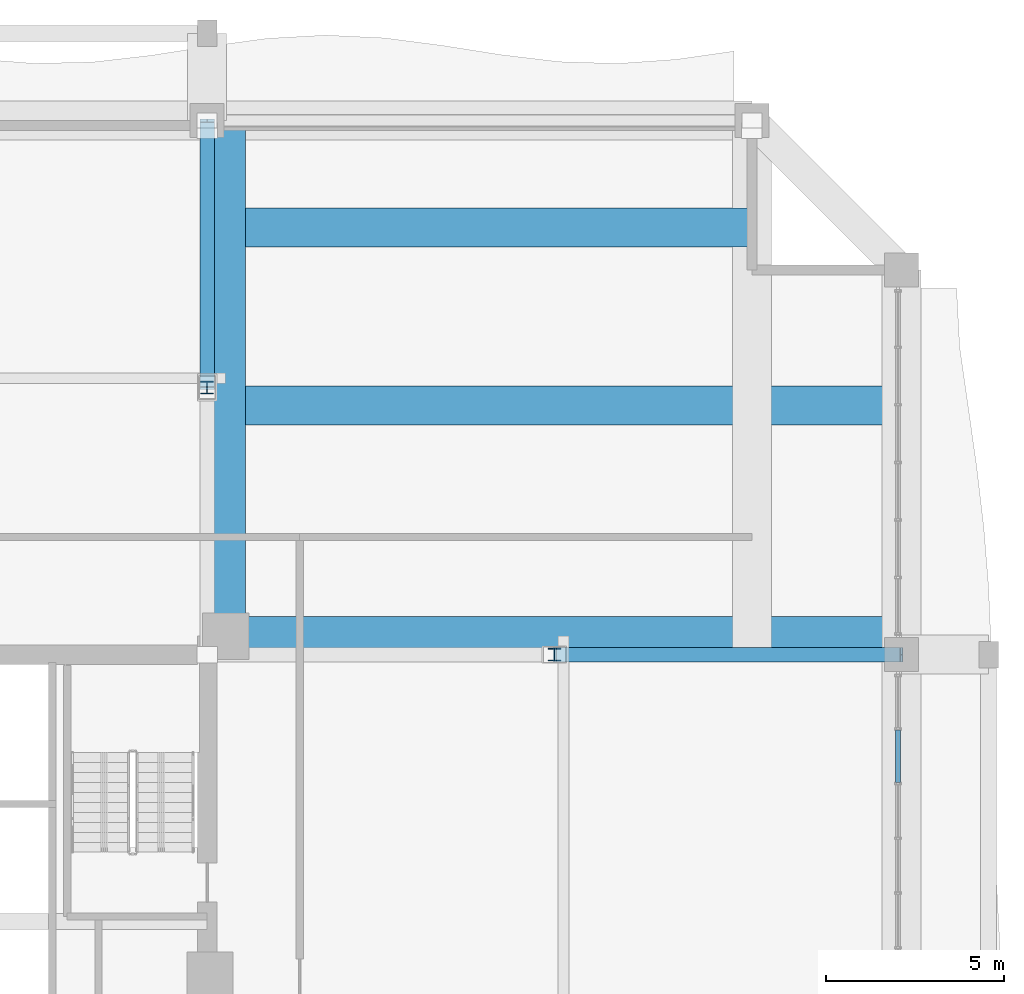
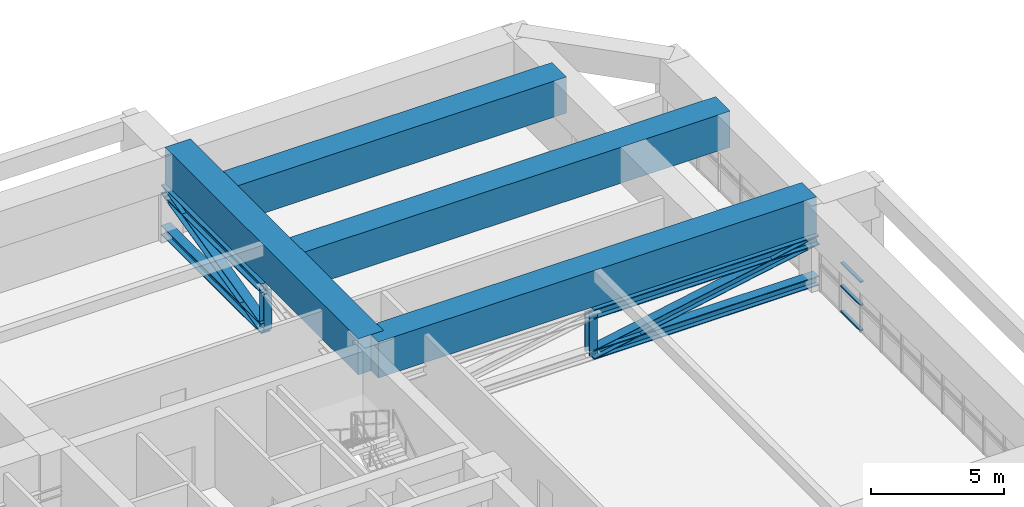
# One storey, part 23 of 35: 11 members, 4 beams, 1 element without a shape of its own.
"""IFC4 building model written with IfcOpenShell, lengths in metres."""

from ifc_helpers import new_model, si_unit, direction, frame, origin, origin_2d, place, context, subcontext, project, spatial, rectangle, hollow_rectangle, i_section, extrude, source, transform, mapped, material, layer, layer_set, material_profile, profile_set, type_object, element, aggregate, save


model = new_model("IFC4")

# Units and contexts
model_context = context("Model", 3, precision=1e-05, world=origin(), true_north=direction((0.0, 1.0)))
body_context = subcontext(model_context, "Body", "Model", "MODEL_VIEW")
ifc_project = project(units=[si_unit("LENGTHUNIT", "METRE"), si_unit("AREAUNIT", "SQUARE_METRE"), si_unit("VOLUMEUNIT", "CUBIC_METRE"), si_unit("PLANEANGLEUNIT", "RADIAN"), si_unit("MASSUNIT", "GRAM", prefix="KILO")], contexts=[model_context])

# Site, building, storey
site_placement = place(None, origin())
site = spatial("IfcSite", under=ifc_project, at=site_placement, CompositionType="ELEMENT")
building_placement = place(site_placement, origin())
building = spatial("IfcBuilding", under=site, at=building_placement, Name="Saelheon Loggia Tower", CompositionType="ELEMENT")
storey_placement = place(building_placement, frame((0.0, 0.0, 144.75)))
storey = spatial("IfcBuildingStorey", under=building, at=storey_placement, Name="L46", CompositionType="ELEMENT", Elevation=144.75)

# Beams
ifc_material_1 = material(Name="Concrete C50/60", Category="concrete")
ifc_material_profile_1 = material_profile(ifc_material_1, rectangle(XDim=1.10009765625, YDim=1.64990234375, at=origin_2d()), Name="RC-1100x1650")
ifc_profile_set_1 = profile_set([ifc_material_profile_1], Name="Concrete C50/60")
beam_type = type_object("IfcBeamType", Name="Beam_MegaTransfer_RC1100x1650", PredefinedType="BEAM", material=ifc_profile_set_1)
shared_shape_1 = source(origin(), body_context, "Body", "SweptSolid", [
    extrude(rectangle(XDim=1.10009765625, YDim=1.64990234375, at=origin_2d()), origin(), (0.0, 0.0, 1.0), 14.47998046875),
])
beam_1_placement = place(storey_placement, frame((45.02001953125, 36.52001953125, 3.125), z_axis=(0.0, 1.0, 0.0), x_axis=(-1.0, 0.0, 0.0)))
element("IfcBeam", 1, at=beam_1_placement, inside=storey, type_object=beam_type, Name="L46 Radial Floor Girder RAD-NE-N", PredefinedType="BEAM", context=body_context, shape_type="MappedRepresentation", body=[
    mapped(shared_shape_1, transform((0.0, 0.0, 0.0), scale=1.0)),
])
shared_shape_2 = source(origin(), body_context, "Body", "SweptSolid", [
    extrude(rectangle(XDim=1.10009765625, YDim=1.64990234375, at=origin_2d()), origin(), (0.0, 0.0, 1.0), 18.97998046875),
])
beam_2_placement = place(storey_placement, frame((45.02001953125, 36.52001953125, 3.125), z_axis=(1.0, 0.0, 0.0), x_axis=(0.0, 1.0, 0.0)))
element("IfcBeam", 2, at=beam_2_placement, inside=storey, type_object=beam_type, Name="L46 Radial Floor Girder RAD-NE-E", PredefinedType="BEAM", context=body_context, shape_type="MappedRepresentation", body=[
    mapped(shared_shape_2, transform((0.0, 0.0, 0.0), scale=1.0)),
])
shared_shape_3 = source(origin(), body_context, "Body", "SweptSolid", [
    extrude(rectangle(XDim=1.10009765625, YDim=1.64990234375, at=origin_2d()), origin(), (0.0, 0.0, 1.0), 19.5),
])
beam_3_placement = place(storey_placement, frame((44.5, 43.0, 3.125), z_axis=(1.0, 0.0, 0.0), x_axis=(0.0, 1.0, 0.0)))
element("IfcBeam", 3, at=beam_3_placement, inside=storey, type_object=beam_type, Name="TG-L46-SH-NE", PredefinedType="BEAM", context=body_context, shape_type="MappedRepresentation", body=[
    mapped(shared_shape_3, transform((0.0, 0.0, 0.0), scale=1.0)),
])

# Members
ifc_material_2 = material(Name="Steel SM355", Category="steel")
ifc_material_profile_2 = material_profile(ifc_material_2, i_section(OverallWidth=0.406982421875, OverallDepth=0.427978515625, WebThickness=0.02001953125, FlangeThickness=0.034912109375, at=origin_2d()), Name="H-428x407x20x35")
ifc_profile_set_2 = profile_set([ifc_material_profile_2], Name="Steel SM355")
member_type_1 = type_object("IfcMemberType", Name="Outrigger_Chord_H428", PredefinedType="CHORD", material=ifc_profile_set_2)
shared_shape_4 = source(origin(), body_context, "Body", "SweptSolid", [
    extrude(i_section(OverallWidth=0.406982421875, OverallDepth=0.427978515625, WebThickness=0.02001953125, FlangeThickness=0.034912109375, at=origin_2d()), origin(), (0.0, 0.0, 1.0), 7.5),
])
for number, where, z_axis, x_axis, name in (
    (4, (44.5, 43.5, 0.219970703125), (0.0, 1.0, 0.0), (-1.0, 0.0, 0.0), "L46 Outrigger Bottom Chord NE-N 2"),
    (5, (44.5, 43.5, 2.070068359375), (0.0, 1.0, 0.0), (-1.0, 0.0, 0.0), "L46 Outrigger Top Chord NE-N 2"),
):
    element("IfcMember", number, at=place(storey_placement, frame(where, z_axis=z_axis, x_axis=x_axis)), inside=storey, type_object=member_type_1, Name=name, PredefinedType="CHORD", context=body_context, shape_type="MappedRepresentation", body=[
        mapped(shared_shape_4, transform((0.0, 0.0, 0.0), scale=1.0)),
    ])
ifc_material_profile_3 = material_profile(ifc_material_2, i_section(OverallWidth=0.39990234375, OverallDepth=0.39990234375, WebThickness=0.012939453125, FlangeThickness=0.02099609375, at=origin_2d()), Name="H-400x400x13x21")
ifc_profile_set_3 = profile_set([ifc_material_profile_3], Name="Steel SM355")
member_type_2 = type_object("IfcMemberType", Name="Outrigger_Brace_H400", PredefinedType="BRACE", material=ifc_profile_set_3)
shared_shape_5 = source(origin(), body_context, "Body", "SweptSolid", [
    extrude(i_section(OverallWidth=0.39990234375, OverallDepth=0.39990234375, WebThickness=0.012939453125, FlangeThickness=0.02099609375, at=origin_2d()), origin(), (0.0, 0.0, 1.0), 7.724853515625),
])
member_1_placement = place(storey_placement, frame((44.5, 43.5, 0.219970703125), z_axis=(0.0, 0.970896268456, 0.239500388098), x_axis=(-1.0, 0.0, 0.0)))
element("IfcMember", 6, at=member_1_placement, inside=storey, type_object=member_type_2, Name="L46 Outrigger Diagonal NE-N 2", PredefinedType="BRACE", context=body_context, shape_type="MappedRepresentation", body=[
    mapped(shared_shape_5, transform((0.0, 0.0, 0.0), scale=1.0)),
])
shared_shape_6 = source(origin(), body_context, "Body", "SweptSolid", [
    extrude(i_section(OverallWidth=0.406982421875, OverallDepth=0.427978515625, WebThickness=0.02001953125, FlangeThickness=0.034912109375, at=origin_2d()), origin(), (0.0, 0.0, 1.0), 9.75),
])
for number, where, z_axis, x_axis, name in (
    (7, (54.25, 36.0, 0.219970703125), (1.0, 0.0, 0.0), (0.0, 1.0, 0.0), "L46 Outrigger Bottom Chord NE-E 2"),
    (8, (54.25, 36.0, 2.070068359375), (1.0, 0.0, 0.0), (0.0, 1.0, 0.0), "L46 Outrigger Top Chord NE-E 2"),
):
    element("IfcMember", number, at=place(storey_placement, frame(where, z_axis=z_axis, x_axis=x_axis)), inside=storey, type_object=member_type_1, Name=name, PredefinedType="CHORD", context=body_context, shape_type="MappedRepresentation", body=[
        mapped(shared_shape_6, transform((0.0, 0.0, 0.0), scale=1.0)),
    ])

# Beam
shared_shape_7 = source(origin(), body_context, "Body", "SweptSolid", [
    extrude(rectangle(XDim=1.10009765625, YDim=1.64990234375, at=origin_2d()), origin(), (0.0, 0.0, 1.0), 15.300048828125),
])
beam_4_placement = place(storey_placement, frame((44.5, 48.0, 3.125), z_axis=(1.0, 0.0, 0.0), x_axis=(0.0, 1.0, 0.0)))
element("IfcBeam", 9, at=beam_4_placement, inside=storey, type_object=beam_type, Name="TG-L46-NYN-E", PredefinedType="BEAM", context=body_context, shape_type="MappedRepresentation", body=[
    mapped(shared_shape_7, transform((0.0, 0.0, 0.0), scale=1.0)),
])

# Members
ifc_material_profile_4 = material_profile(ifc_material_2, i_section(OverallWidth=0.35009765625, OverallDepth=0.35009765625, WebThickness=0.011962890625, FlangeThickness=0.01904296875, at=origin_2d()), Name="H-350x350x12x19")
ifc_profile_set_4 = profile_set([ifc_material_profile_4], Name="Steel SM355")
member_type_3 = type_object("IfcMemberType", Name="Outrigger_Post_H350", PredefinedType="POST", material=ifc_profile_set_4)
shared_shape_8 = source(origin(), body_context, "Body", "SweptSolid", [
    extrude(i_section(OverallWidth=0.35009765625, OverallDepth=0.35009765625, WebThickness=0.011962890625, FlangeThickness=0.01904296875, at=origin_2d()), origin(), (0.0, 0.0, 1.0), 1.85009765625),
])
for number, where, z_axis, x_axis, name in (
    (10, (44.5, 43.5, 0.219970703125), (0.0, 0.0, 1.0), (1.0, 0.0, 0.0), "L46 Outrigger Web Post NE-N"),
    (11, (54.25, 36.0, 0.219970703125), (0.0, 0.0, 1.0), (1.0, 0.0, 0.0), "L46 Outrigger Web Post NE-E"),
):
    element("IfcMember", number, at=place(storey_placement, frame(where, z_axis=z_axis, x_axis=x_axis)), inside=storey, type_object=member_type_3, Name=name, PredefinedType="POST", context=body_context, shape_type="MappedRepresentation", body=[
        mapped(shared_shape_8, transform((0.0, 0.0, 0.0), scale=1.0)),
    ])
shared_shape_9 = source(origin(), body_context, "Body", "SweptSolid", [
    extrude(i_section(OverallWidth=0.39990234375, OverallDepth=0.39990234375, WebThickness=0.012939453125, FlangeThickness=0.02099609375, at=origin_2d()), origin(), (0.0, 0.0, 1.0), 9.924072265625),
])
member_2_placement = place(storey_placement, frame((54.25, 36.0, 0.219970703125), z_axis=(0.982468815564, 0.0, 0.186427000309), x_axis=(0.0, 1.0, 0.0)))
element("IfcMember", 12, at=member_2_placement, inside=storey, type_object=member_type_2, Name="L46 Outrigger Diagonal NE-E 2", PredefinedType="BRACE", context=body_context, shape_type="MappedRepresentation", body=[
    mapped(shared_shape_9, transform((0.0, 0.0, 0.0), scale=1.0)),
])

# Curtain wall, members
ifc_material_3 = material(Name="Anodised Aluminium Acoustic Louvre Curtain Wall", Category="aluminium")
ifc_layer = layer(ifc_material_3, 0.179931640625)
ifc_layer_set = layer_set([ifc_layer], Name="Anodised Aluminium Acoustic Louvre Curtain Wall")
curtain_wall_type = type_object("IfcCurtainWallType", Name="CW_RefugeAcoustic", PredefinedType="NOTDEFINED", material=ifc_layer_set)
curtain_wall_placement = place(storey_placement, origin())
curtain_wall = element("IfcCurtainWall", 13, at=curtain_wall_placement, inside=storey, type_object=curtain_wall_type, Name="L46 E Refuge Acoustic Curtain Wall 2", PredefinedType="NOTDEFINED")
ifc_material_4 = material(Name="Anodised Aluminium 6063-T6", Category="aluminium")
ifc_material_profile_5 = material_profile(ifc_material_4, hollow_rectangle(XDim=0.06494140625, YDim=0.139892578125, WallThickness=0.00390625, at=origin_2d()), Name="RHS-140x65x4")
ifc_profile_set_5 = profile_set([ifc_material_profile_5], Name="Anodised Aluminium 6063-T6")
member_type_4 = type_object("IfcMemberType", Name="CW_RefugeAcoustic_Transom", PredefinedType="USERDEFINED", material=ifc_profile_set_5)
shared_shape_10 = source(origin(), body_context, "Body", "SweptSolid", [
    extrude(hollow_rectangle(XDim=0.06494140625, YDim=0.139892578125, WallThickness=0.00390625, at=origin_2d()), origin(), (0.0, 0.0, 1.0), 1.471435546875),
])
member_3_placement = place(storey_placement, frame((63.89990234375, 32.40966796875, 0.032470703125), z_axis=(0.0, 1.0, 0.0), x_axis=(0.0, 0.0, 1.0)))
member_3 = element("IfcMember", 14, at=member_3_placement, type_object=member_type_4, Name="CW5 transom 10.1", ObjectType="TRANSOM", PredefinedType="USERDEFINED", context=body_context, shape_type="MappedRepresentation", body=[
    mapped(shared_shape_10, transform((0.0, 0.0, 0.0), scale=1.0)),
])
member_4_placement = place(storey_placement, frame((63.89990234375, 32.40966796875, 1.199951171875), z_axis=(0.0, 1.0, 0.0), x_axis=(0.0, 0.0, 1.0)))
member_4 = element("IfcMember", 15, at=member_4_placement, type_object=member_type_4, Name="CW5 transom 10.2", ObjectType="TRANSOM", PredefinedType="USERDEFINED", context=body_context, shape_type="MappedRepresentation", body=[
    mapped(shared_shape_10, transform((0.0, 0.0, 0.0), scale=1.0)),
])
member_5_placement = place(storey_placement, frame((63.89990234375, 32.40966796875, 2.257568359375), z_axis=(0.0, 1.0, 0.0), x_axis=(0.0, 0.0, 1.0)))
member_5 = element("IfcMember", 16, at=member_5_placement, type_object=member_type_4, Name="CW5 transom 10.3", ObjectType="TRANSOM", PredefinedType="USERDEFINED", context=body_context, shape_type="MappedRepresentation", body=[
    mapped(shared_shape_10, transform((0.0, 0.0, 0.0), scale=1.0)),
])
aggregate(curtain_wall, [member_3, member_4, member_5])

save(model, "model.ifc")
